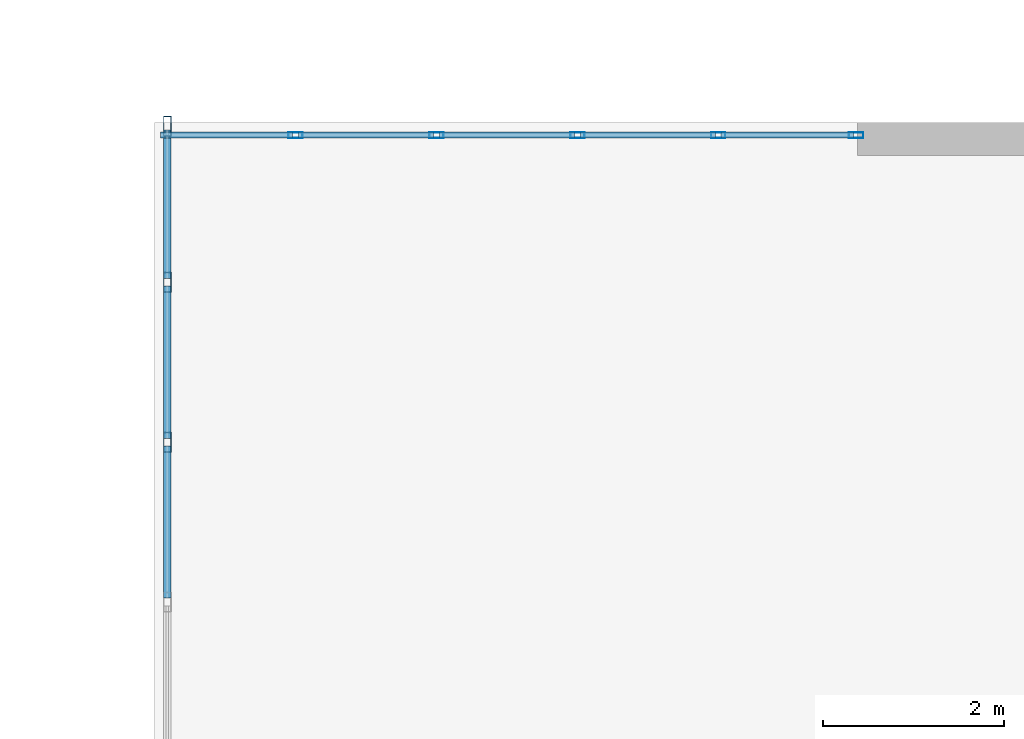
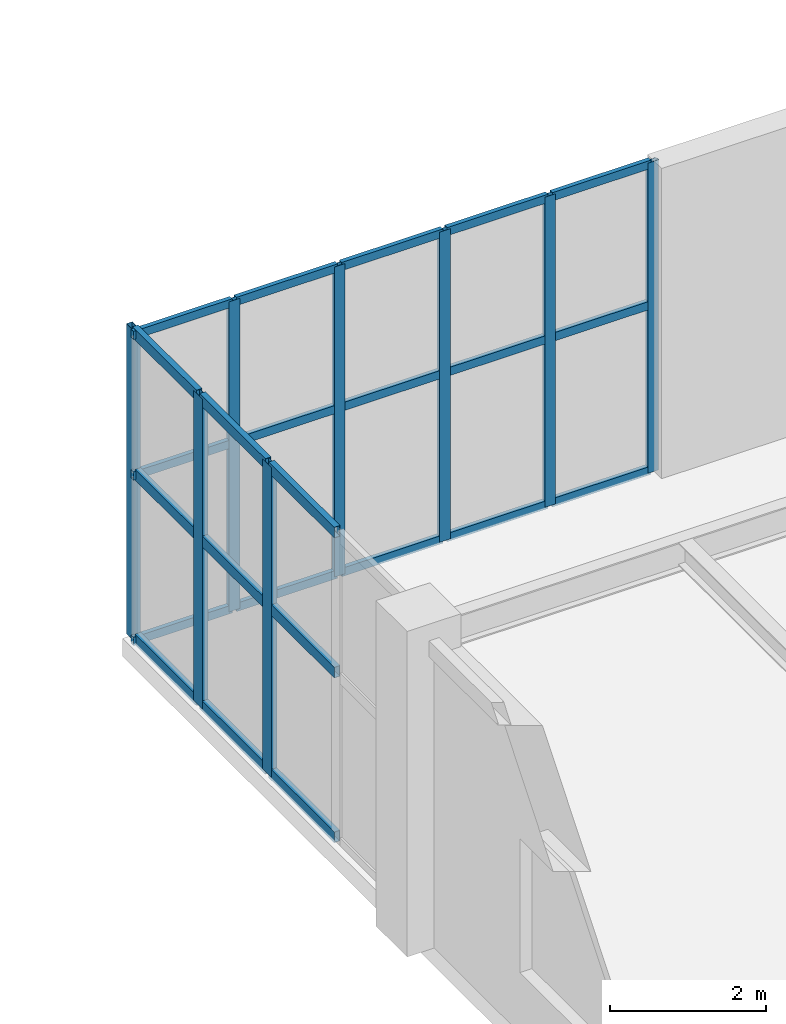
# One storey, part 87 of 128: 32 members, 2 elements without a shape of their own.
"""IFC4 building model written with IfcOpenShell, lengths in metres."""

from ifc_helpers import new_model, si_unit, direction, frame, origin, origin_2d, place, context, subcontext, project, spatial, hollow_rectangle, extrude, material, layer, layer_set, material_profile, profile_set, type_object, element, aggregate, save


model = new_model("IFC4")

# Units and contexts
model_context = context("Model", 3, precision=1e-05, world=origin(), true_north=direction((0.0, 1.0)))
body_context = subcontext(model_context, "Body", "Model", "MODEL_VIEW")
ifc_project = project(units=[si_unit("LENGTHUNIT", "METRE"), si_unit("AREAUNIT", "SQUARE_METRE"), si_unit("VOLUMEUNIT", "CUBIC_METRE"), si_unit("PLANEANGLEUNIT", "RADIAN"), si_unit("MASSUNIT", "GRAM", prefix="KILO")], contexts=[model_context])

# Site, building, storey
site_placement = place(None, origin())
site = spatial("IfcSite", under=ifc_project, at=site_placement, CompositionType="ELEMENT")
building_placement = place(site_placement, origin())
building = spatial("IfcBuilding", under=site, at=building_placement, Name="Xicomal Pleat Aquarium", CompositionType="ELEMENT")
storey_placement = place(building_placement, frame((0.0, 0.0, 5.39990234375)))
storey = spatial("IfcBuildingStorey", under=building, at=storey_placement, Name="L02", CompositionType="ELEMENT", Elevation=5.39990234375)

# Curtain wall, members
ifc_material_1 = material(Name="Bronze anodized aluminium 6063-T6", Category="aluminium")
ifc_layer_1 = layer(ifc_material_1, 0.159912109375)
ifc_layer_set_1 = layer_set([ifc_layer_1], Name="Bronze anodized aluminium 6063-T6")
curtain_wall_type_1 = type_object("IfcCurtainWallType", Name="CW-SYS-02", PredefinedType="NOTDEFINED", material=ifc_layer_set_1)
curtain_wall_1_placement = place(storey_placement, origin())
curtain_wall_1 = element("IfcCurtainWall", 1, at=curtain_wall_1_placement, inside=storey, type_object=curtain_wall_type_1, Name="L02 unitised curtain wall CW-L02-081", PredefinedType="NOTDEFINED")
ifc_material_2 = material(Name="Bronze anodized aluminium 6063-T6", Category="aluminium")
ifc_material_profile_1 = material_profile(ifc_material_2, hollow_rectangle(XDim=0.06494140625, YDim=0.159912109375, WallThickness=0.00390625, at=origin_2d()), Name="ALU MULL 65x160")
ifc_profile_set_1 = profile_set([ifc_material_profile_1], Name="Bronze anodized aluminium 6063-T6")
member_type_1 = type_object("IfcMemberType", Name="CWM-65x160", PredefinedType="MULLION", material=ifc_profile_set_1)
member_1_placement = place(storey_placement, frame((135.360107421875, 37.860107421875, 0.0), z_axis=(0.0, 0.0, 1.0), x_axis=(0.0, 1.0, 0.0)))
member_1 = element("IfcMember", 2, at=member_1_placement, type_object=member_type_1, Name="CW-02 mullion 2", PredefinedType="MULLION", context=body_context, shape_type="SweptSolid", body=[
    extrude(hollow_rectangle(XDim=0.06494140625, YDim=0.159912109375, WallThickness=0.00390625, at=origin_2d()), origin(), (0.0, 0.0, 1.0), 4.860107421875),
])
member_2_placement = place(storey_placement, frame((136.919921875, 37.860107421875, 0.0), z_axis=(0.0, 0.0, 1.0), x_axis=(0.0, 1.0, 0.0)))
member_2 = element("IfcMember", 3, at=member_2_placement, type_object=member_type_1, Name="CW-02 mullion 3", PredefinedType="MULLION", context=body_context, shape_type="SweptSolid", body=[
    extrude(hollow_rectangle(XDim=0.06494140625, YDim=0.159912109375, WallThickness=0.00390625, at=origin_2d()), origin(), (0.0, 0.0, 1.0), 4.860107421875),
])
member_3_placement = place(storey_placement, frame((138.47998046875, 37.860107421875, 0.0), z_axis=(0.0, 0.0, 1.0), x_axis=(0.0, 1.0, 0.0)))
member_3 = element("IfcMember", 4, at=member_3_placement, type_object=member_type_1, Name="CW-02 mullion 4", PredefinedType="MULLION", context=body_context, shape_type="SweptSolid", body=[
    extrude(hollow_rectangle(XDim=0.06494140625, YDim=0.159912109375, WallThickness=0.00390625, at=origin_2d()), origin(), (0.0, 0.0, 1.0), 4.860107421875),
])
member_4_placement = place(storey_placement, frame((140.0400390625, 37.860107421875, 0.0), z_axis=(0.0, 0.0, 1.0), x_axis=(0.0, 1.0, 0.0)))
member_4 = element("IfcMember", 5, at=member_4_placement, type_object=member_type_1, Name="CW-02 mullion 5", PredefinedType="MULLION", context=body_context, shape_type="SweptSolid", body=[
    extrude(hollow_rectangle(XDim=0.06494140625, YDim=0.159912109375, WallThickness=0.00390625, at=origin_2d()), origin(), (0.0, 0.0, 1.0), 4.860107421875),
])
member_5_placement = place(storey_placement, frame((141.5673828125, 37.860107421875, 0.0), z_axis=(0.0, 0.0, 1.0), x_axis=(0.0, 1.0, 0.0)))
member_5 = element("IfcMember", 6, at=member_5_placement, type_object=member_type_1, Name="CW-02 mullion 6", PredefinedType="MULLION", context=body_context, shape_type="SweptSolid", body=[
    extrude(hollow_rectangle(XDim=0.06494140625, YDim=0.159912109375, WallThickness=0.00390625, at=origin_2d()), origin(), (0.0, 0.0, 1.0), 4.860107421875),
])

ifc_material_3 = material(Name="Bronze anodized aluminium 6063-T6", Category="aluminium")
ifc_layer_2 = layer(ifc_material_3, 0.159912109375)
ifc_layer_set_2 = layer_set([ifc_layer_2], Name="Bronze anodized aluminium 6063-T6")
curtain_wall_type_2 = type_object("IfcCurtainWallType", Name="CW-SYS-12", PredefinedType="NOTDEFINED", material=ifc_layer_set_2)
curtain_wall_2_placement = place(storey_placement, origin())
curtain_wall_2 = element("IfcCurtainWall", 7, at=curtain_wall_2_placement, inside=storey, type_object=curtain_wall_type_2, Name="L02 unitised curtain wall CW-L02-080", PredefinedType="NOTDEFINED")
ifc_material_4 = material(Name="Bronze anodized aluminium 6063-T6", Category="aluminium")
ifc_material_profile_2 = material_profile(ifc_material_4, hollow_rectangle(XDim=0.0849609375, YDim=0.219970703125, WallThickness=0.0048828125, at=origin_2d()), Name="ALU MULL 85x220")
ifc_profile_set_2 = profile_set([ifc_material_profile_2], Name="Bronze anodized aluminium 6063-T6")
member_type_2 = type_object("IfcMemberType", Name="CWM-85x220", PredefinedType="MULLION", material=ifc_profile_set_2)
member_6_placement = place(storey_placement, frame((133.93994140625, 34.4599609375, 0.0), z_axis=(0.0, 0.0, 1.0), x_axis=(-1.0, 0.0, 0.0)))
member_6 = element("IfcMember", 8, at=member_6_placement, type_object=member_type_2, Name="CW-12 mullion 3", PredefinedType="MULLION", context=body_context, shape_type="SweptSolid", body=[
    extrude(hollow_rectangle(XDim=0.0849609375, YDim=0.219970703125, WallThickness=0.0048828125, at=origin_2d()), origin(), (0.0, 0.0, 1.0), 4.860107421875),
])
member_7_placement = place(storey_placement, frame((133.93994140625, 36.22998046875, 0.0), z_axis=(0.0, 0.0, 1.0), x_axis=(-1.0, 0.0, 0.0)))
member_7 = element("IfcMember", 9, at=member_7_placement, type_object=member_type_2, Name="CW-12 mullion 4", PredefinedType="MULLION", context=body_context, shape_type="SweptSolid", body=[
    extrude(hollow_rectangle(XDim=0.0849609375, YDim=0.219970703125, WallThickness=0.0048828125, at=origin_2d()), origin(), (0.0, 0.0, 1.0), 4.860107421875),
])
member_8_placement = place(storey_placement, frame((133.93994140625, 37.95751953125, 0.0), z_axis=(0.0, 0.0, 1.0), x_axis=(-1.0, 0.0, 0.0)))
member_8 = element("IfcMember", 10, at=member_8_placement, type_object=member_type_2, Name="CW-12 mullion 5", PredefinedType="MULLION", context=body_context, shape_type="SweptSolid", body=[
    extrude(hollow_rectangle(XDim=0.0849609375, YDim=0.219970703125, WallThickness=0.0048828125, at=origin_2d()), origin(), (0.0, 0.0, 1.0), 4.860107421875),
])

# Member
ifc_material_5 = material(Name="Bronze anodized aluminium 6063-T6", Category="aluminium")
ifc_material_profile_3 = material_profile(ifc_material_5, hollow_rectangle(XDim=0.06494140625, YDim=0.1298828125, WallThickness=0.00390625, at=origin_2d()), Name="ALU TRAN 65x130")
ifc_profile_set_3 = profile_set([ifc_material_profile_3], Name="Bronze anodized aluminium 6063-T6")
member_type_3 = type_object("IfcMemberType", Name="CWT-65x130", PredefinedType="USERDEFINED", material=ifc_profile_set_3)
member_9_placement = place(storey_placement, frame((133.864990234375, 37.860107421875, 0.03271484375), z_axis=(1.0, 0.0, 0.0), x_axis=(0.0, 1.0, 0.0)))
member_9 = element("IfcMember", 11, at=member_9_placement, type_object=member_type_3, Name="CW-02 transom 1.1", ObjectType="TRANSOM", PredefinedType="USERDEFINED", context=body_context, shape_type="SweptSolid", body=[
    extrude(hollow_rectangle(XDim=0.06494140625, YDim=0.1298828125, WallThickness=0.00390625, at=origin_2d()), origin(), (0.0, 0.0, 1.0), 1.46240234375),
])

member_10_placement = place(storey_placement, frame((133.864990234375, 37.860107421875, 2.6240234375), z_axis=(1.0, 0.0, 0.0), x_axis=(0.0, 1.0, 0.0)))
member_10 = element("IfcMember", 12, at=member_10_placement, type_object=member_type_3, Name="CW-02 transom 1.2", ObjectType="TRANSOM", PredefinedType="USERDEFINED", context=body_context, shape_type="SweptSolid", body=[
    extrude(hollow_rectangle(XDim=0.06494140625, YDim=0.1298828125, WallThickness=0.00390625, at=origin_2d()), origin(), (0.0, 0.0, 1.0), 1.46240234375),
])

member_11_placement = place(storey_placement, frame((133.864990234375, 37.860107421875, 4.82763671875), z_axis=(1.0, 0.0, 0.0), x_axis=(0.0, 1.0, 0.0)))
member_11 = element("IfcMember", 13, at=member_11_placement, type_object=member_type_3, Name="CW-02 transom 1.3", ObjectType="TRANSOM", PredefinedType="USERDEFINED", context=body_context, shape_type="SweptSolid", body=[
    extrude(hollow_rectangle(XDim=0.06494140625, YDim=0.1298828125, WallThickness=0.00390625, at=origin_2d()), origin(), (0.0, 0.0, 1.0), 1.46240234375),
])

member_12_placement = place(storey_placement, frame((135.392578125, 37.860107421875, 0.03271484375), z_axis=(1.0, 0.0, 0.0), x_axis=(0.0, 1.0, 0.0)))
member_12 = element("IfcMember", 14, at=member_12_placement, type_object=member_type_3, Name="CW-02 transom 2.1", ObjectType="TRANSOM", PredefinedType="USERDEFINED", context=body_context, shape_type="SweptSolid", body=[
    extrude(hollow_rectangle(XDim=0.06494140625, YDim=0.1298828125, WallThickness=0.00390625, at=origin_2d()), origin(), (0.0, 0.0, 1.0), 1.494873046875),
])

member_13_placement = place(storey_placement, frame((135.392578125, 37.860107421875, 2.6240234375), z_axis=(1.0, 0.0, 0.0), x_axis=(0.0, 1.0, 0.0)))
member_13 = element("IfcMember", 15, at=member_13_placement, type_object=member_type_3, Name="CW-02 transom 2.2", ObjectType="TRANSOM", PredefinedType="USERDEFINED", context=body_context, shape_type="SweptSolid", body=[
    extrude(hollow_rectangle(XDim=0.06494140625, YDim=0.1298828125, WallThickness=0.00390625, at=origin_2d()), origin(), (0.0, 0.0, 1.0), 1.494873046875),
])

member_14_placement = place(storey_placement, frame((135.392578125, 37.860107421875, 4.82763671875), z_axis=(1.0, 0.0, 0.0), x_axis=(0.0, 1.0, 0.0)))
member_14 = element("IfcMember", 16, at=member_14_placement, type_object=member_type_3, Name="CW-02 transom 2.3", ObjectType="TRANSOM", PredefinedType="USERDEFINED", context=body_context, shape_type="SweptSolid", body=[
    extrude(hollow_rectangle(XDim=0.06494140625, YDim=0.1298828125, WallThickness=0.00390625, at=origin_2d()), origin(), (0.0, 0.0, 1.0), 1.494873046875),
])

member_15_placement = place(storey_placement, frame((136.952392578125, 37.860107421875, 0.03271484375), z_axis=(1.0, 0.0, 0.0), x_axis=(0.0, 1.0, 0.0)))
member_15 = element("IfcMember", 17, at=member_15_placement, type_object=member_type_3, Name="CW-02 transom 3.1", ObjectType="TRANSOM", PredefinedType="USERDEFINED", context=body_context, shape_type="SweptSolid", body=[
    extrude(hollow_rectangle(XDim=0.06494140625, YDim=0.1298828125, WallThickness=0.00390625, at=origin_2d()), origin(), (0.0, 0.0, 1.0), 1.4951171875),
])

member_16_placement = place(storey_placement, frame((136.952392578125, 37.860107421875, 2.6240234375), z_axis=(1.0, 0.0, 0.0), x_axis=(0.0, 1.0, 0.0)))
member_16 = element("IfcMember", 18, at=member_16_placement, type_object=member_type_3, Name="CW-02 transom 3.2", ObjectType="TRANSOM", PredefinedType="USERDEFINED", context=body_context, shape_type="SweptSolid", body=[
    extrude(hollow_rectangle(XDim=0.06494140625, YDim=0.1298828125, WallThickness=0.00390625, at=origin_2d()), origin(), (0.0, 0.0, 1.0), 1.4951171875),
])

member_17_placement = place(storey_placement, frame((136.952392578125, 37.860107421875, 4.82763671875), z_axis=(1.0, 0.0, 0.0), x_axis=(0.0, 1.0, 0.0)))
member_17 = element("IfcMember", 19, at=member_17_placement, type_object=member_type_3, Name="CW-02 transom 3.3", ObjectType="TRANSOM", PredefinedType="USERDEFINED", context=body_context, shape_type="SweptSolid", body=[
    extrude(hollow_rectangle(XDim=0.06494140625, YDim=0.1298828125, WallThickness=0.00390625, at=origin_2d()), origin(), (0.0, 0.0, 1.0), 1.4951171875),
])

member_18_placement = place(storey_placement, frame((138.512451171875, 37.860107421875, 0.03271484375), z_axis=(1.0, 0.0, 0.0), x_axis=(0.0, 1.0, 0.0)))
member_18 = element("IfcMember", 20, at=member_18_placement, type_object=member_type_3, Name="CW-02 transom 4.1", ObjectType="TRANSOM", PredefinedType="USERDEFINED", context=body_context, shape_type="SweptSolid", body=[
    extrude(hollow_rectangle(XDim=0.06494140625, YDim=0.1298828125, WallThickness=0.00390625, at=origin_2d()), origin(), (0.0, 0.0, 1.0), 1.4951171875),
])

member_19_placement = place(storey_placement, frame((138.512451171875, 37.860107421875, 2.6240234375), z_axis=(1.0, 0.0, 0.0), x_axis=(0.0, 1.0, 0.0)))
member_19 = element("IfcMember", 21, at=member_19_placement, type_object=member_type_3, Name="CW-02 transom 4.2", ObjectType="TRANSOM", PredefinedType="USERDEFINED", context=body_context, shape_type="SweptSolid", body=[
    extrude(hollow_rectangle(XDim=0.06494140625, YDim=0.1298828125, WallThickness=0.00390625, at=origin_2d()), origin(), (0.0, 0.0, 1.0), 1.4951171875),
])

member_20_placement = place(storey_placement, frame((138.512451171875, 37.860107421875, 4.82763671875), z_axis=(1.0, 0.0, 0.0), x_axis=(0.0, 1.0, 0.0)))
member_20 = element("IfcMember", 22, at=member_20_placement, type_object=member_type_3, Name="CW-02 transom 4.3", ObjectType="TRANSOM", PredefinedType="USERDEFINED", context=body_context, shape_type="SweptSolid", body=[
    extrude(hollow_rectangle(XDim=0.06494140625, YDim=0.1298828125, WallThickness=0.00390625, at=origin_2d()), origin(), (0.0, 0.0, 1.0), 1.4951171875),
])

member_21_placement = place(storey_placement, frame((140.072509765625, 37.860107421875, 0.03271484375), z_axis=(1.0, 0.0, 0.0), x_axis=(0.0, 1.0, 0.0)))
member_21 = element("IfcMember", 23, at=member_21_placement, type_object=member_type_3, Name="CW-02 transom 5.1", ObjectType="TRANSOM", PredefinedType="USERDEFINED", context=body_context, shape_type="SweptSolid", body=[
    extrude(hollow_rectangle(XDim=0.06494140625, YDim=0.1298828125, WallThickness=0.00390625, at=origin_2d()), origin(), (0.0, 0.0, 1.0), 1.46240234375),
])

member_22_placement = place(storey_placement, frame((140.072509765625, 37.860107421875, 2.6240234375), z_axis=(1.0, 0.0, 0.0), x_axis=(0.0, 1.0, 0.0)))
member_22 = element("IfcMember", 24, at=member_22_placement, type_object=member_type_3, Name="CW-02 transom 5.2", ObjectType="TRANSOM", PredefinedType="USERDEFINED", context=body_context, shape_type="SweptSolid", body=[
    extrude(hollow_rectangle(XDim=0.06494140625, YDim=0.1298828125, WallThickness=0.00390625, at=origin_2d()), origin(), (0.0, 0.0, 1.0), 1.46240234375),
])

member_23_placement = place(storey_placement, frame((140.072509765625, 37.860107421875, 4.82763671875), z_axis=(1.0, 0.0, 0.0), x_axis=(0.0, 1.0, 0.0)))
member_23 = element("IfcMember", 25, at=member_23_placement, type_object=member_type_3, Name="CW-02 transom 5.3", ObjectType="TRANSOM", PredefinedType="USERDEFINED", context=body_context, shape_type="SweptSolid", body=[
    extrude(hollow_rectangle(XDim=0.06494140625, YDim=0.1298828125, WallThickness=0.00390625, at=origin_2d()), origin(), (0.0, 0.0, 1.0), 1.46240234375),
])

aggregate(curtain_wall_1, [member_1, member_2, member_3, member_4, member_5, member_9, member_10, member_11, member_12, member_13, member_14, member_15, member_16, member_17, member_18, member_19, member_20, member_21, member_22, member_23])

ifc_material_6 = material(Name="Bronze anodized aluminium 6063-T6", Category="aluminium")
ifc_material_profile_4 = material_profile(ifc_material_6, hollow_rectangle(XDim=0.0849609375, YDim=0.169921875, WallThickness=0.0048828125, at=origin_2d()), Name="ALU TRAN 85x170")
ifc_profile_set_4 = profile_set([ifc_material_profile_4], Name="Bronze anodized aluminium 6063-T6")
member_type_4 = type_object("IfcMemberType", Name="CWT-85x170", PredefinedType="USERDEFINED", material=ifc_profile_set_4)
member_24_placement = place(storey_placement, frame((133.93994140625, 32.732421875, 0.04248046875), z_axis=(0.0, 1.0, 0.0), x_axis=(-1.0, 0.0, 0.0)))
member_24 = element("IfcMember", 26, at=member_24_placement, type_object=member_type_4, Name="CW-12 transom 2.1", ObjectType="TRANSOM", PredefinedType="USERDEFINED", context=body_context, shape_type="SweptSolid", body=[
    extrude(hollow_rectangle(XDim=0.0849609375, YDim=0.169921875, WallThickness=0.0048828125, at=origin_2d()), origin(), (0.0, 0.0, 1.0), 1.68505859375),
])

member_25_placement = place(storey_placement, frame((133.93994140625, 32.732421875, 2.6240234375), z_axis=(0.0, 1.0, 0.0), x_axis=(-1.0, 0.0, 0.0)))
member_25 = element("IfcMember", 27, at=member_25_placement, type_object=member_type_4, Name="CW-12 transom 2.2", ObjectType="TRANSOM", PredefinedType="USERDEFINED", context=body_context, shape_type="SweptSolid", body=[
    extrude(hollow_rectangle(XDim=0.0849609375, YDim=0.169921875, WallThickness=0.0048828125, at=origin_2d()), origin(), (0.0, 0.0, 1.0), 1.68505859375),
])

member_26_placement = place(storey_placement, frame((133.93994140625, 32.732421875, 4.817626953125), z_axis=(0.0, 1.0, 0.0), x_axis=(-1.0, 0.0, 0.0)))
member_26 = element("IfcMember", 28, at=member_26_placement, type_object=member_type_4, Name="CW-12 transom 2.3", ObjectType="TRANSOM", PredefinedType="USERDEFINED", context=body_context, shape_type="SweptSolid", body=[
    extrude(hollow_rectangle(XDim=0.0849609375, YDim=0.169921875, WallThickness=0.0048828125, at=origin_2d()), origin(), (0.0, 0.0, 1.0), 1.68505859375),
])

member_27_placement = place(storey_placement, frame((133.93994140625, 34.50244140625, 0.04248046875), z_axis=(0.0, 1.0, 0.0), x_axis=(-1.0, 0.0, 0.0)))
member_27 = element("IfcMember", 29, at=member_27_placement, type_object=member_type_4, Name="CW-12 transom 3.1", ObjectType="TRANSOM", PredefinedType="USERDEFINED", context=body_context, shape_type="SweptSolid", body=[
    extrude(hollow_rectangle(XDim=0.0849609375, YDim=0.169921875, WallThickness=0.0048828125, at=origin_2d()), origin(), (0.0, 0.0, 1.0), 1.68505859375),
])

member_28_placement = place(storey_placement, frame((133.93994140625, 34.50244140625, 2.6240234375), z_axis=(0.0, 1.0, 0.0), x_axis=(-1.0, 0.0, 0.0)))
member_28 = element("IfcMember", 30, at=member_28_placement, type_object=member_type_4, Name="CW-12 transom 3.2", ObjectType="TRANSOM", PredefinedType="USERDEFINED", context=body_context, shape_type="SweptSolid", body=[
    extrude(hollow_rectangle(XDim=0.0849609375, YDim=0.169921875, WallThickness=0.0048828125, at=origin_2d()), origin(), (0.0, 0.0, 1.0), 1.68505859375),
])

member_29_placement = place(storey_placement, frame((133.93994140625, 34.50244140625, 4.817626953125), z_axis=(0.0, 1.0, 0.0), x_axis=(-1.0, 0.0, 0.0)))
member_29 = element("IfcMember", 31, at=member_29_placement, type_object=member_type_4, Name="CW-12 transom 3.3", ObjectType="TRANSOM", PredefinedType="USERDEFINED", context=body_context, shape_type="SweptSolid", body=[
    extrude(hollow_rectangle(XDim=0.0849609375, YDim=0.169921875, WallThickness=0.0048828125, at=origin_2d()), origin(), (0.0, 0.0, 1.0), 1.68505859375),
])

member_30_placement = place(storey_placement, frame((133.93994140625, 36.2724609375, 0.04248046875), z_axis=(0.0, 1.0, 0.0), x_axis=(-1.0, 0.0, 0.0)))
member_30 = element("IfcMember", 32, at=member_30_placement, type_object=member_type_4, Name="CW-12 transom 4.1", ObjectType="TRANSOM", PredefinedType="USERDEFINED", context=body_context, shape_type="SweptSolid", body=[
    extrude(hollow_rectangle(XDim=0.0849609375, YDim=0.169921875, WallThickness=0.0048828125, at=origin_2d()), origin(), (0.0, 0.0, 1.0), 1.642578125),
])

member_31_placement = place(storey_placement, frame((133.93994140625, 36.2724609375, 2.6240234375), z_axis=(0.0, 1.0, 0.0), x_axis=(-1.0, 0.0, 0.0)))
member_31 = element("IfcMember", 33, at=member_31_placement, type_object=member_type_4, Name="CW-12 transom 4.2", ObjectType="TRANSOM", PredefinedType="USERDEFINED", context=body_context, shape_type="SweptSolid", body=[
    extrude(hollow_rectangle(XDim=0.0849609375, YDim=0.169921875, WallThickness=0.0048828125, at=origin_2d()), origin(), (0.0, 0.0, 1.0), 1.642578125),
])

member_32_placement = place(storey_placement, frame((133.93994140625, 36.2724609375, 4.817626953125), z_axis=(0.0, 1.0, 0.0), x_axis=(-1.0, 0.0, 0.0)))
member_32 = element("IfcMember", 34, at=member_32_placement, type_object=member_type_4, Name="CW-12 transom 4.3", ObjectType="TRANSOM", PredefinedType="USERDEFINED", context=body_context, shape_type="SweptSolid", body=[
    extrude(hollow_rectangle(XDim=0.0849609375, YDim=0.169921875, WallThickness=0.0048828125, at=origin_2d()), origin(), (0.0, 0.0, 1.0), 1.642578125),
])

aggregate(curtain_wall_2, [member_6, member_7, member_8, member_24, member_25, member_26, member_27, member_28, member_29, member_30, member_31, member_32])

save(model, "model.ifc")
